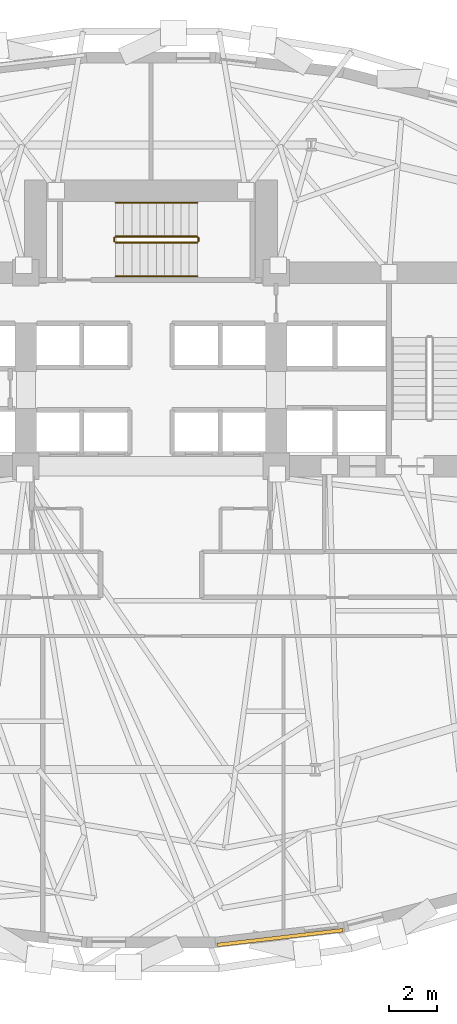
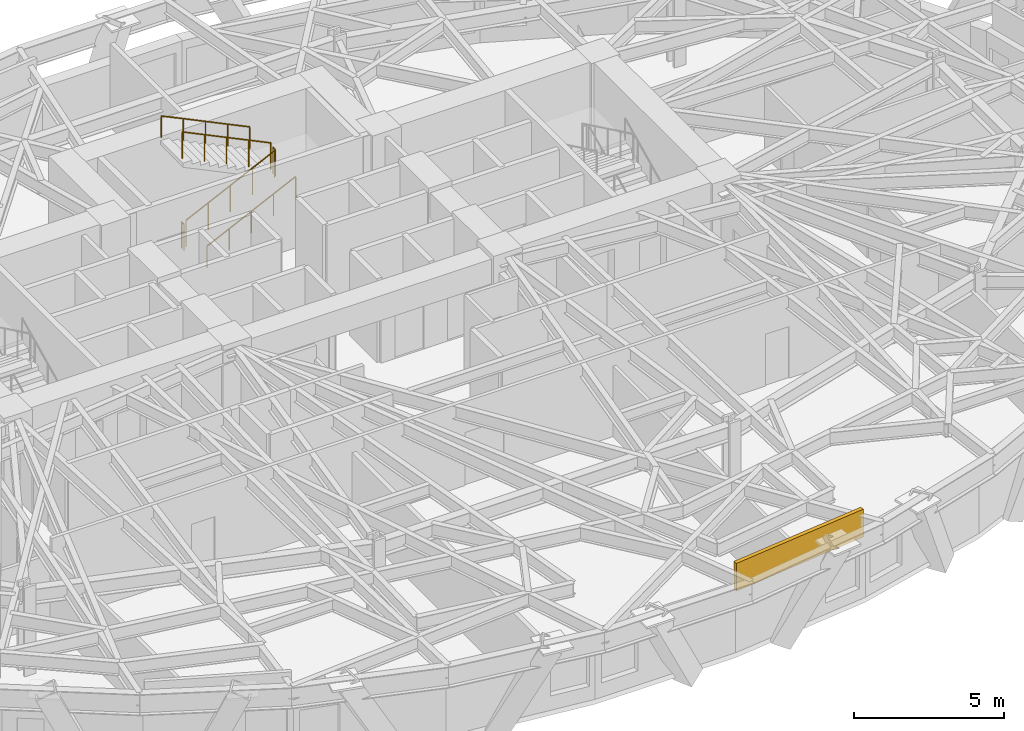
# One storey, part 12 of 14: 6 railings, 1 covering.
"""IFC4 building model written with IfcOpenShell, lengths in metres."""

from ifc_helpers import new_model, si_unit, direction, frame, origin, origin_2d, place, context, subcontext, project, spatial, rectangle, circle, extrude, material, layer, layer_set, type_object, element, save


model = new_model("IFC4")

# Units and contexts
model_context = context("Model", 3, precision=1e-05, world=origin(), true_north=direction((0.0, 1.0)))
body_context = subcontext(model_context, "Body", "Model", "MODEL_VIEW")
ifc_project = project(units=[si_unit("LENGTHUNIT", "METRE"), si_unit("AREAUNIT", "SQUARE_METRE"), si_unit("VOLUMEUNIT", "CUBIC_METRE"), si_unit("PLANEANGLEUNIT", "RADIAN"), si_unit("MASSUNIT", "GRAM", prefix="KILO")], contexts=[model_context])

# Site, building, storey
site_placement = place(None, origin())
site = spatial("IfcSite", under=ifc_project, at=site_placement, CompositionType="ELEMENT")
building_placement = place(site_placement, origin())
building = spatial("IfcBuilding", under=site, at=building_placement, Name="Keldmark Tower", CompositionType="ELEMENT")
storey_placement = place(building_placement, frame((0.0, 0.0, 52.199951171875)))
storey = spatial("IfcBuildingStorey", under=building, at=storey_placement, Name="L13", CompositionType="ELEMENT", Elevation=52.199951171875)

# Covering
ifc_material_1 = material(Name="Honed Kasota Buff Dolomitic Limestone", Category="masonry")
ifc_layer = layer(ifc_material_1, 0.074951171875)
ifc_layer_set = layer_set([ifc_layer], Name="Honed Kasota Buff Dolomitic Limestone")
covering_type = type_object("IfcCoveringType", Name="Kasota Buff Limestone Spandrel Cladding Band", PredefinedType="CLADDING", material=ifc_layer_set)
covering_placement = place(storey_placement, frame((5.36474609375, -18.1875, 2.453125), z_axis=(0.0, 0.0, 1.0), x_axis=(0.993158426362, 0.116774741047, 0.0)))
element("IfcCovering", 1, at=covering_placement, inside=storey, type_object=covering_type, Name="L13 Kasota Limestone Spandrel Band 25", PredefinedType="CLADDING", context=body_context, shape_type="SweptSolid", body=[
    extrude(rectangle(XDim=5.261962890625, YDim=0.14990234375, at=origin_2d()), origin(), (0.0, 0.0, 1.0), 1.126953125),
])

# Railings
ifc_material_2 = material(Name="Painted Steel ASTM A500 Grade B", Category="steel")
railing_type_1 = type_object("IfcRailingType", Name="Painted Steel Stair Well Guard 1100 mm", PredefinedType="GUARDRAIL", material=ifc_material_2)
railing_1_placement = place(storey_placement, frame((-1.47509765625, 10.699951171875, 0.16357421875)))
element("IfcRailing", 2, at=railing_1_placement, inside=storey, type_object=railing_type_1, Name="L13 ST3 stair guard 1", PredefinedType="GUARDRAIL", context=body_context, shape_type="SweptSolid", body=[
    extrude(circle(Radius=0.02392578125, at=origin_2d()), frame((0.0, 0.0, 1.076171875), z_axis=(0.901067223353, 0.0, 0.433679442675), x_axis=(0.0, 1.0, 0.0)), (0.0, 0.0, 1.0), 3.7734375),
    extrude(circle(Radius=0.02099609375, at=origin_2d()), origin(), (0.0, 0.0, 1.0), 1.052001953125),
    extrude(circle(Radius=0.02099609375, at=origin_2d()), frame((0.85009765625, 0.0, 0.4091796875)), (0.0, 0.0, 1.0), 1.052001953125),
    extrude(circle(Radius=0.02099609375, at=origin_2d()), frame((1.7001953125, 0.0, 0.818359375)), (0.0, 0.0, 1.0), 1.052001953125),
    extrude(circle(Radius=0.02099609375, at=origin_2d()), frame((2.550048828125, 0.0, 1.227294921875)), (0.0, 0.0, 1.0), 1.052001953125),
    extrude(circle(Radius=0.02099609375, at=origin_2d()), frame((3.400146484375, 0.0, 1.636474609375)), (0.0, 0.0, 1.0), 1.052001953125),
])
railing_2_placement = place(storey_placement, frame((1.97509765625, 10.75, 1.800048828125)))
element("IfcRailing", 3, at=railing_2_placement, inside=storey, type_object=railing_type_1, Name="L13 ST3 stair guard 2", PredefinedType="GUARDRAIL", context=body_context, shape_type="SweptSolid", body=[
    extrude(circle(Radius=0.02392578125, at=origin_2d()), frame((0.0, 0.0, 1.076171875), z_axis=(0.0, 1.0, 0.0), x_axis=(-1.0, 0.0, 0.0)), (0.0, 0.0, 1.0), 0.14990234375),
    extrude(circle(Radius=0.02099609375, at=origin_2d()), origin(), (0.0, 0.0, 1.0), 1.052001953125),
    extrude(circle(Radius=0.02099609375, at=origin_2d()), frame((0.0, 0.14990234375, 0.0)), (0.0, 0.0, 1.0), 1.052001953125),
])
railing_3_placement = place(storey_placement, frame((1.925048828125, 10.949951171875, 1.963623046875)))
element("IfcRailing", 4, at=railing_3_placement, inside=storey, type_object=railing_type_1, Name="L13 ST3 stair guard 3", PredefinedType="GUARDRAIL", context=body_context, shape_type="SweptSolid", body=[
    extrude(circle(Radius=0.02392578125, at=origin_2d()), frame((0.0, 0.0, 1.076171875), z_axis=(-0.901067223353, 0.0, 0.433679442675), x_axis=(0.0, -1.0, 0.0)), (0.0, 0.0, 1.0), 3.7734375),
    extrude(circle(Radius=0.02099609375, at=origin_2d()), origin(), (0.0, 0.0, 1.0), 1.052001953125),
    extrude(circle(Radius=0.02099609375, at=origin_2d()), frame((-0.85009765625, 0.0, 0.4091796875)), (0.0, 0.0, 1.0), 1.052001953125),
    extrude(circle(Radius=0.02099609375, at=origin_2d()), frame((-1.7001953125, 0.0, 0.818359375)), (0.0, 0.0, 1.0), 1.052001953125),
    extrude(circle(Radius=0.02099609375, at=origin_2d()), frame((-2.550048828125, 0.0, 1.227294921875)), (0.0, 0.0, 1.0), 1.052001953125),
    extrude(circle(Radius=0.02099609375, at=origin_2d()), frame((-3.400146484375, 0.0, 1.636474609375)), (0.0, 0.0, 1.0), 1.052001953125),
])
railing_4_placement = place(storey_placement, frame((-1.52490234375, 10.75, 0.0)))
element("IfcRailing", 5, at=railing_4_placement, inside=storey, type_object=railing_type_1, Name="L13 ST3 stair guard 4", PredefinedType="GUARDRAIL", context=body_context, shape_type="SweptSolid", body=[
    extrude(circle(Radius=0.02392578125, at=origin_2d()), frame((0.0, 0.0, 1.076171875), z_axis=(0.0, 1.0, 0.0), x_axis=(-1.0, 0.0, 0.0)), (0.0, 0.0, 1.0), 0.14990234375),
    extrude(circle(Radius=0.02099609375, at=origin_2d()), origin(), (0.0, 0.0, 1.0), 1.052001953125),
    extrude(circle(Radius=0.02099609375, at=origin_2d()), frame((0.0, 0.14990234375, 0.0)), (0.0, 0.0, 1.0), 1.052001953125),
])
ifc_material_3 = material(Name="Stainless Steel AISI 316L", Category="steel")
railing_type_2 = type_object("IfcRailingType", Name="Stainless Steel Stair Handrail 900 mm", PredefinedType="HANDRAIL", material=ifc_material_3)
railing_5_placement = place(storey_placement, frame((-1.47509765625, 9.300048828125, 0.16357421875)))
element("IfcRailing", 6, at=railing_5_placement, inside=storey, type_object=railing_type_2, Name="L13 ST3 stair handrail 1", PredefinedType="HANDRAIL", context=body_context, shape_type="SweptSolid", body=[
    extrude(circle(Radius=0.02392578125, at=origin_2d()), frame((0.0, 0.0, 0.8759765625), z_axis=(0.901067223353, 0.0, 0.433679442675), x_axis=(0.0, 1.0, 0.0)), (0.0, 0.0, 1.0), 3.7734375),
    extrude(circle(Radius=0.02099609375, at=origin_2d()), origin(), (0.0, 0.0, 1.0), 0.851806640625),
    extrude(circle(Radius=0.02099609375, at=origin_2d()), frame((0.85009765625, 0.0, 0.4091796875)), (0.0, 0.0, 1.0), 0.851806640625),
    extrude(circle(Radius=0.02099609375, at=origin_2d()), frame((1.7001953125, 0.0, 0.818359375)), (0.0, 0.0, 1.0), 0.851806640625),
    extrude(circle(Radius=0.02099609375, at=origin_2d()), frame((2.550048828125, 0.0, 1.227294921875)), (0.0, 0.0, 1.0), 0.851806640625),
    extrude(circle(Radius=0.02099609375, at=origin_2d()), frame((3.400146484375, 0.0, 1.636474609375)), (0.0, 0.0, 1.0), 0.851806640625),
])
railing_6_placement = place(storey_placement, frame((1.925048828125, 12.35009765625, 1.963623046875)))
element("IfcRailing", 7, at=railing_6_placement, inside=storey, type_object=railing_type_2, Name="L13 ST3 stair handrail 2", PredefinedType="HANDRAIL", context=body_context, shape_type="SweptSolid", body=[
    extrude(circle(Radius=0.02392578125, at=origin_2d()), frame((0.0, 0.0, 0.8759765625), z_axis=(-0.901067223353, 0.0, 0.433679442675), x_axis=(0.0, -1.0, 0.0)), (0.0, 0.0, 1.0), 3.7734375),
    extrude(circle(Radius=0.02099609375, at=origin_2d()), origin(), (0.0, 0.0, 1.0), 0.851806640625),
    extrude(circle(Radius=0.02099609375, at=origin_2d()), frame((-0.85009765625, 0.0, 0.4091796875)), (0.0, 0.0, 1.0), 0.851806640625),
    extrude(circle(Radius=0.02099609375, at=origin_2d()), frame((-1.7001953125, 0.0, 0.818359375)), (0.0, 0.0, 1.0), 0.851806640625),
    extrude(circle(Radius=0.02099609375, at=origin_2d()), frame((-2.550048828125, 0.0, 1.227294921875)), (0.0, 0.0, 1.0), 0.851806640625),
    extrude(circle(Radius=0.02099609375, at=origin_2d()), frame((-3.400146484375, 0.0, 1.636474609375)), (0.0, 0.0, 1.0), 0.851806640625),
])

save(model, "model.ifc")
